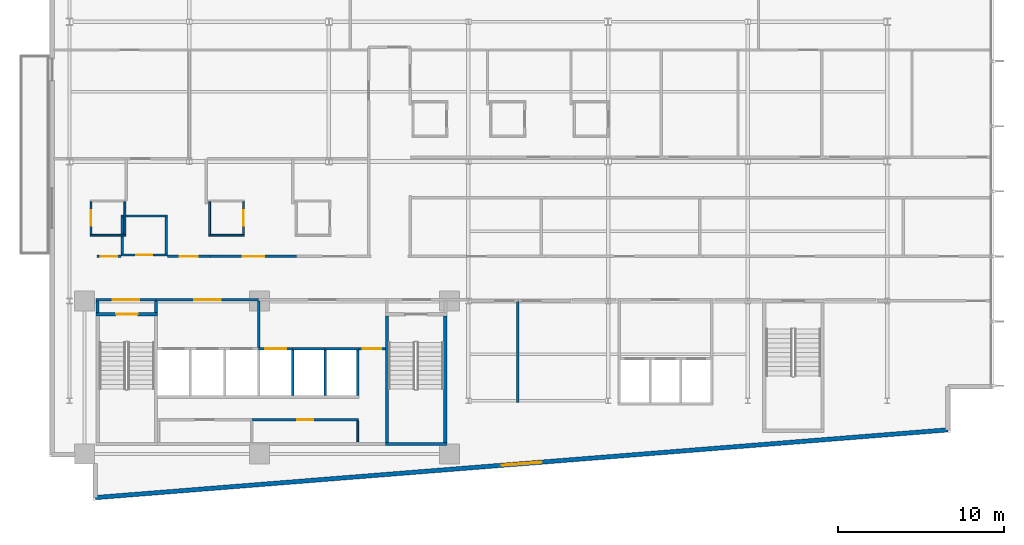
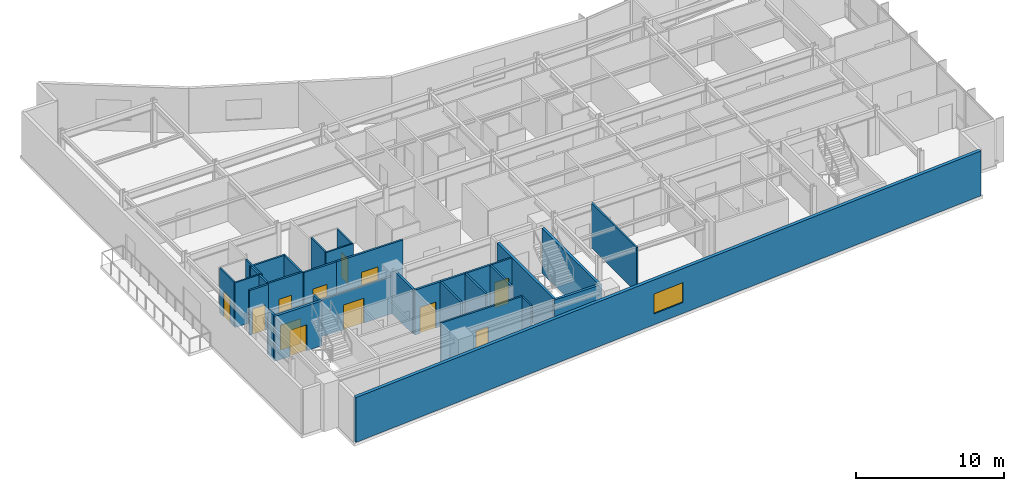
# One storey, part 10 of 18: 33 walls, 12 doors, 1 window, 13 openings.
"""IFC4 building model written with IfcOpenShell, lengths in metres."""

from ifc_helpers import new_model, si_unit, direction, frame, frame_2d, origin, place, context, subcontext, project, spatial, rectangle, extrude, material, layer, layer_set, type_object, element, fill, save


model = new_model("IFC4")

# Units and contexts
model_context = context("Model", 3, precision=1e-05, world=origin(), true_north=direction((0.0, 1.0)))
body_context = subcontext(model_context, "Body", "Model", "MODEL_VIEW")
ifc_project = project(units=[si_unit("LENGTHUNIT", "METRE"), si_unit("AREAUNIT", "SQUARE_METRE"), si_unit("VOLUMEUNIT", "CUBIC_METRE"), si_unit("PLANEANGLEUNIT", "RADIAN"), si_unit("MASSUNIT", "GRAM", prefix="KILO")], contexts=[model_context])

# Site, building, storey
site_placement = place(None, origin())
site = spatial("IfcSite", under=ifc_project, at=site_placement, CompositionType="ELEMENT")
building_placement = place(site_placement, origin())
building = spatial("IfcBuilding", under=site, at=building_placement, Name="Varnakote Quay Hospital", CompositionType="ELEMENT")
storey_placement = place(building_placement, frame((0.0, 0.0, 119.14990234375)))
storey = spatial("IfcBuildingStorey", under=building, at=storey_placement, Name="L29", CompositionType="ELEMENT", Elevation=119.14990234375)

# Wall
ifc_material_1 = material(Name="Fire-rated acoustic gypsum stud wall", Category="gypsum")
ifc_layer_1 = layer(ifc_material_1, 0.159912109375)
ifc_layer_set_1 = layer_set([ifc_layer_1], Name="Fire-rated acoustic gypsum stud wall")
wall_type_1 = type_object("IfcWallType", Name="WL-COMP-160", PredefinedType="PARTITIONING", material=ifc_layer_set_1)
wall_1_placement = place(storey_placement, frame((2.8798828125, 11.300048828125, 0.0), z_axis=(0.0, 0.0, 1.0), x_axis=(0.0, 1.0, 0.0)))
element("IfcWall", 1, at=wall_1_placement, inside=storey, type_object=wall_type_1, Name="L29 West Stair Vestibule West Wall", PredefinedType="PARTITIONING", context=body_context, shape_type="SweptSolid", body=[
    extrude(rectangle(XDim=0.699951171875, YDim=0.159912109375, at=frame_2d((0.35009765625, 0.0))), origin(), (0.0, 0.0, 1.0), 3.710205078125),
])

# Wall, opening, door
wall_2_placement = place(storey_placement, frame((2.800048828125, 12.080078125, 0.0), z_axis=(0.0, 0.0, 1.0), x_axis=(1.0, 0.0, 0.0)))
wall_2 = element("IfcWall", 2, at=wall_2_placement, inside=storey, type_object=wall_type_1, Name="L29 West Stair Vestibule Smoke Wall", PredefinedType="PARTITIONING", context=body_context, shape_type="SweptSolid", body=[
    extrude(rectangle(XDim=3.599853515625, YDim=0.159912109375, at=frame_2d((1.7998046875, 0.0))), origin(), (0.0, 0.0, 1.0), 3.0830078125),
])
opening_1_placement = place(wall_2_placement, frame((1.0, 0.0, 0.0)))
opening_1 = element("IfcOpeningElement", 3, at=opening_1_placement, cuts=wall_2, Name="Opening D-ST1L-L29", PredefinedType="OPENING", context=body_context, shape_type="SweptSolid", body=[
    extrude(rectangle(XDim=1.60009765625, YDim=2.050048828125, at=frame_2d((0.800048828125, 1.02490234375))), frame((0.0, 0.08984375, 0.0), z_axis=(0.0, -1.0, 0.0), x_axis=(1.0, 0.0, 0.0)), (0.0, 0.0, 1.0), 0.179931640625),
])
ifc_material_2 = material(Name="Fire-rated double smoke lobby door")
door_type_1 = type_object("IfcDoorType", Name="DR-LOBBY-FD60S-1600x2150", OperationType="NOTDEFINED", PredefinedType="DOOR", material=ifc_material_2)
door_1_placement = place(opening_1_placement, origin())
door_1 = element("IfcDoor", 4, at=door_1_placement, inside=storey, type_object=door_type_1, Name="L29 West Stair Vestibule Smoke Door", OperationType="DOUBLE_DOOR_SINGLE_SWING", OverallHeight=2.050048828125, OverallWidth=1.60009765625, PredefinedType="DOOR", context=body_context, shape_type="SweptSolid", body=[
    extrude(rectangle(XDim=1.60009765625, YDim=2.050048828125, at=frame_2d((0.800048828125, 1.02490234375))), frame((0.0, 0.02490234375, 0.0), z_axis=(0.0, -1.0, 0.0), x_axis=(1.0, 0.0, 0.0)), (0.0, 0.0, 1.0), 0.050048828125),
])
fill(opening_1, door_1)

# Wall
wall_3_placement = place(storey_placement, frame((6.39990234375, 11.300048828125, 0.0), z_axis=(0.0, 0.0, 1.0), x_axis=(0.0, 1.0, 0.0)))
element("IfcWall", 5, at=wall_3_placement, inside=storey, type_object=wall_type_1, Name="L29 Firefighting Lobby West Wall", PredefinedType="PARTITIONING", context=body_context, shape_type="SweptSolid", body=[
    extrude(rectangle(XDim=0.699951171875, YDim=0.159912109375, at=frame_2d((0.35009765625, 0.0))), origin(), (0.0, 0.0, 1.0), 3.710205078125),
])

# Wall, opening, door
wall_4_placement = place(storey_placement, frame((6.39990234375, 12.080078125, 0.0), z_axis=(0.0, 0.0, 1.0), x_axis=(1.0, 0.0, 0.0)))
wall_4 = element("IfcWall", 6, at=wall_4_placement, inside=storey, type_object=wall_type_1, Name="L29 Firefighting Lift Lobby Compartment Wall", PredefinedType="PARTITIONING", context=body_context, shape_type="SweptSolid", body=[
    extrude(rectangle(XDim=6.18017578125, YDim=0.159912109375, at=frame_2d((3.090087890625, 0.0))), origin(), (0.0, 0.0, 1.0), 3.0830078125),
])
opening_2_placement = place(wall_4_placement, frame((2.2900390625, 0.0, 0.0)))
opening_2 = element("IfcOpeningElement", 7, at=opening_2_placement, cuts=wall_4, Name="Opening D-FFL-L29", PredefinedType="OPENING", context=body_context, shape_type="SweptSolid", body=[
    extrude(rectangle(XDim=1.60009765625, YDim=2.050048828125, at=frame_2d((0.800048828125, 1.02490234375))), frame((0.0, 0.08984375, 0.0), z_axis=(0.0, -1.0, 0.0), x_axis=(1.0, 0.0, 0.0)), (0.0, 0.0, 1.0), 0.179931640625),
])
door_2_placement = place(opening_2_placement, origin())
door_2 = element("IfcDoor", 8, at=door_2_placement, inside=storey, type_object=door_type_1, Name="L29 Firefighting Smoke Vestibule Door", OperationType="DOUBLE_DOOR_SINGLE_SWING", OverallHeight=2.050048828125, OverallWidth=1.60009765625, PredefinedType="DOOR", context=body_context, shape_type="SweptSolid", body=[
    extrude(rectangle(XDim=1.60009765625, YDim=2.050048828125, at=frame_2d((0.800048828125, 1.02490234375))), frame((0.0, 0.02490234375, 0.0), z_axis=(0.0, -1.0, 0.0), x_axis=(1.0, 0.0, 0.0)), (0.0, 0.0, 1.0), 0.050048828125),
])
fill(opening_2, door_2)

# Walls
wall_5_placement = place(storey_placement, frame((12.580078125, 9.2099609375, 0.0), z_axis=(0.0, 0.0, 1.0), x_axis=(0.0, 1.0, 0.0)))
element("IfcWall", 9, at=wall_5_placement, inside=storey, type_object=wall_type_1, Name="L29 Firefighting to Service Lobby Wall", PredefinedType="PARTITIONING", context=body_context, shape_type="SweptSolid", body=[
    extrude(rectangle(XDim=2.7900390625, YDim=0.159912109375, at=frame_2d((1.39501953125, 0.0))), origin(), (0.0, 0.0, 1.0), 3.710205078125),
])
ifc_material_3 = material(Name="Moisture-resistant bathroom partition", Category="gypsum")
ifc_layer_2 = layer(ifc_material_3, 0.114990234375)
ifc_layer_set_2 = layer_set([ifc_layer_2], Name="Moisture-resistant bathroom partition")
wall_type_2 = type_object("IfcWallType", Name="WL-ENS-115", PredefinedType="PARTITIONING", material=ifc_layer_set_2)
wall_6_placement = place(storey_placement, frame((2.43505859375, 15.952392578125, 0.0), z_axis=(0.0, 0.0, 1.0), x_axis=(1.0, 0.0, 0.0)))
element("IfcWall", 10, at=wall_6_placement, inside=storey, type_object=wall_type_2, Name="L29 Inpatient En-Suite Bathroom 01 S Wall", PredefinedType="PARTITIONING", context=body_context, shape_type="SweptSolid", body=[
    extrude(rectangle(XDim=2.14990234375, YDim=0.114990234375, at=frame_2d((1.074951171875, 0.0))), origin(), (0.0, 0.0, 1.0), 3.710205078125),
])

# Wall, opening, door
wall_7_placement = place(storey_placement, frame((2.492431640625, 16.010009765625, 0.0), z_axis=(0.0, 0.0, 1.0), x_axis=(0.0, 1.0, 0.0)))
wall_7 = element("IfcWall", 11, at=wall_7_placement, inside=storey, type_object=wall_type_2, Name="L29 Inpatient En-Suite Bathroom 01 W Wall", PredefinedType="PARTITIONING", context=body_context, shape_type="SweptSolid", body=[
    extrude(rectangle(XDim=1.949951171875, YDim=0.114990234375, at=frame_2d((0.97509765625, 0.0))), origin(), (0.0, 0.0, 1.0), 3.710205078125),
])
opening_3_placement = place(wall_7_placement, frame((0.514892578125, 0.0, 0.0)))
opening_3 = element("IfcOpeningElement", 12, at=opening_3_placement, cuts=wall_7, Name="Opening D-L29-ENS01", PredefinedType="OPENING", context=body_context, shape_type="SweptSolid", body=[
    extrude(rectangle(XDim=0.919921875, YDim=2.10009765625, at=frame_2d((0.4599609375, 1.050048828125))), frame((0.0, 0.0673828125, 0.0), z_axis=(0.0, -1.0, 0.0), x_axis=(1.0, 0.0, 0.0)), (0.0, 0.0, 1.0), 0.135009765625),
])
ifc_material_4 = material(Name="Moisture-sealed en-suite bathroom door")
door_type_2 = type_object("IfcDoorType", Name="DR-ENS-920x2100", OperationType="NOTDEFINED", PredefinedType="DOOR", material=ifc_material_4)
door_3_placement = place(opening_3_placement, origin())
door_3 = element("IfcDoor", 13, at=door_3_placement, inside=storey, type_object=door_type_2, Name="L29 Inpatient En-Suite Bathroom 01 Door", OperationType="SINGLE_SWING_RIGHT", OverallHeight=2.10009765625, OverallWidth=0.919921875, PredefinedType="DOOR", context=body_context, shape_type="SweptSolid", body=[
    extrude(rectangle(XDim=0.919921875, YDim=2.10009765625, at=frame_2d((0.4599609375, 1.050048828125))), frame((0.0, 0.02490234375, 0.0), z_axis=(0.0, -1.0, 0.0), x_axis=(1.0, 0.0, 0.0)), (0.0, 0.0, 1.0), 0.050048828125),
])
fill(opening_3, door_3)

# Walls
wall_8_placement = place(storey_placement, frame((4.527587890625, 16.010009765625, 0.0), z_axis=(0.0, 0.0, 1.0), x_axis=(0.0, 1.0, 0.0)))
element("IfcWall", 14, at=wall_8_placement, inside=storey, type_object=wall_type_2, Name="L29 Inpatient En-Suite Bathroom 01 E Wall", PredefinedType="PARTITIONING", context=body_context, shape_type="SweptSolid", body=[
    extrude(rectangle(XDim=1.949951171875, YDim=0.114990234375, at=frame_2d((0.97509765625, 0.0))), origin(), (0.0, 0.0, 1.0), 3.710205078125),
])
wall_9_placement = place(storey_placement, frame((9.574951171875, 15.952392578125, 0.0), z_axis=(0.0, 0.0, 1.0), x_axis=(1.0, 0.0, 0.0)))
element("IfcWall", 15, at=wall_9_placement, inside=storey, type_object=wall_type_2, Name="L29 Inpatient En-Suite Bathroom 02 S Wall", PredefinedType="PARTITIONING", context=body_context, shape_type="SweptSolid", body=[
    extrude(rectangle(XDim=2.150146484375, YDim=0.114990234375, at=frame_2d((1.0751953125, 0.0))), origin(), (0.0, 0.0, 1.0), 3.710205078125),
])
wall_10_placement = place(storey_placement, frame((9.632568359375, 16.010009765625, 0.0), z_axis=(0.0, 0.0, 1.0), x_axis=(0.0, 1.0, 0.0)))
element("IfcWall", 16, at=wall_10_placement, inside=storey, type_object=wall_type_2, Name="L29 Inpatient En-Suite Bathroom 02 W Wall", PredefinedType="PARTITIONING", context=body_context, shape_type="SweptSolid", body=[
    extrude(rectangle(XDim=1.949951171875, YDim=0.114990234375, at=frame_2d((0.97509765625, 0.0))), origin(), (0.0, 0.0, 1.0), 3.710205078125),
])

# Wall, opening, door
wall_11_placement = place(storey_placement, frame((11.66748046875, 16.010009765625, 0.0), z_axis=(0.0, 0.0, 1.0), x_axis=(0.0, 1.0, 0.0)))
wall_11 = element("IfcWall", 17, at=wall_11_placement, inside=storey, type_object=wall_type_2, Name="L29 Inpatient En-Suite Bathroom 02 E Wall", PredefinedType="PARTITIONING", context=body_context, shape_type="SweptSolid", body=[
    extrude(rectangle(XDim=1.949951171875, YDim=0.114990234375, at=frame_2d((0.97509765625, 0.0))), origin(), (0.0, 0.0, 1.0), 3.710205078125),
])
opening_4_placement = place(wall_11_placement, frame((0.514892578125, 0.0, 0.0)))
opening_4 = element("IfcOpeningElement", 18, at=opening_4_placement, cuts=wall_11, Name="Opening D-L29-ENS02", PredefinedType="OPENING", context=body_context, shape_type="SweptSolid", body=[
    extrude(rectangle(XDim=0.919921875, YDim=2.10009765625, at=frame_2d((0.4599609375, 1.050048828125))), frame((0.0, 0.0673828125, 0.0), z_axis=(0.0, -1.0, 0.0), x_axis=(1.0, 0.0, 0.0)), (0.0, 0.0, 1.0), 0.135009765625),
])
door_4_placement = place(opening_4_placement, origin())
door_4 = element("IfcDoor", 19, at=door_4_placement, inside=storey, type_object=door_type_2, Name="L29 Inpatient En-Suite Bathroom 02 Door", OperationType="SINGLE_SWING_LEFT", OverallHeight=2.10009765625, OverallWidth=0.919921875, PredefinedType="DOOR", context=body_context, shape_type="SweptSolid", body=[
    extrude(rectangle(XDim=0.919921875, YDim=2.10009765625, at=frame_2d((0.4599609375, 1.050048828125))), frame((0.0, 0.02490234375, 0.0), z_axis=(0.0, -1.0, 0.0), x_axis=(1.0, 0.0, 0.0)), (0.0, 0.0, 1.0), 0.050048828125),
])
fill(opening_4, door_4)

# Wall, opening, window
ifc_material_5 = material(Name="Precast concrete N50 (f'c 50 MPa)", Category="concrete")
ifc_layer_3 = layer(ifc_material_5, 0.260009765625)
ifc_layer_set_3 = layer_set([ifc_layer_3], Name="Precast concrete N50 (f'c 50 MPa)")
wall_type_3 = type_object("IfcWallType", Name="WL-EXT-BRICK-260", PredefinedType="STANDARD", material=ifc_layer_set_3)
wall_12_placement = place(storey_placement, frame((2.760009765625, 0.173095703125, 0.0), z_axis=(0.0, 0.0, 1.0), x_axis=(0.996857931723, 0.079210251617, 0.0)))
wall_12 = element("IfcWall", 20, at=wall_12_placement, inside=storey, type_object=wall_type_3, Name="L29 Brick-Faced Precast Exterior Wall", PredefinedType="STANDARD", context=body_context, shape_type="SweptSolid", body=[
    extrude(rectangle(XDim=51.441650390625, YDim=0.260009765625, at=frame_2d((25.720703125, 0.0))), origin(), (0.0, 0.0, 1.0), 3.710205078125),
])
opening_5_placement = place(wall_12_placement, frame((24.520751953125, 0.0, 0.89990234375)))
opening_5 = element("IfcOpeningElement", 21, at=opening_5_placement, cuts=wall_12, Name="Opening WN-0126", PredefinedType="OPENING", context=body_context, shape_type="SweptSolid", body=[
    extrude(rectangle(XDim=2.39990234375, YDim=1.64990234375, at=frame_2d((1.199951171875, 0.824951171875))), frame((0.0, 0.139892578125, 0.0), z_axis=(0.0, -1.0, 0.0), x_axis=(1.0, 0.0, 0.0)), (0.0, 0.0, 1.0), 0.280029296875),
])
ifc_material_6 = material(Name="Double-glazed low-E solar glass", Category="glass")
window_type = type_object("IfcWindowType", Name="WIN-CLIN-2400x1650", PartitioningType="SINGLE_PANEL", PredefinedType="WINDOW", material=ifc_material_6)
window_placement = place(opening_5_placement, origin())
window = element("IfcWindow", 22, at=window_placement, inside=storey, type_object=window_type, Name="L29 Solar-Control Clinical Window", OverallHeight=1.64990234375, OverallWidth=2.39990234375, PartitioningType="SINGLE_PANEL", PredefinedType="WINDOW", context=body_context, shape_type="SweptSolid", body=[
    extrude(rectangle(XDim=2.39990234375, YDim=1.64990234375, at=frame_2d((1.199951171875, 0.824951171875))), frame((0.0, 0.030029296875, 0.0), z_axis=(0.0, -1.0, 0.0), x_axis=(1.0, 0.0, 0.0)), (0.0, 0.0, 1.0), 0.06005859375),
])
fill(opening_5, window)

# Walls
ifc_material_7 = material(Name="Concrete N50 (f'c 50 MPa)", Category="concrete")
ifc_layer_4 = layer(ifc_material_7, 0.14990234375)
ifc_layer_set_4 = layer_set([ifc_layer_4], Name="Concrete N50 (f'c 50 MPa)")
wall_type_4 = type_object("IfcWallType", Name="WL-SHAFT-N50-150", PredefinedType="SHEAR", material=ifc_layer_set_4)
for number, where, z_axis, x_axis, name in (
    (23, (14.625, 6.300048828125, 0.0), (0.0, 0.0, 1.0), (0.0, 1.0, 0.0), "L29 LF-SV2 Hoistway Divider Wall"),
    (24, (16.574951171875, 6.300048828125, 0.0), (0.0, 0.0, 1.0), (0.0, 1.0, 0.0), "L29 LF-PH1 Hoistway Divider Wall"),
):
    element("IfcWall", number, at=place(storey_placement, frame(where, z_axis=z_axis, x_axis=x_axis)), inside=storey, type_object=wall_type_4, Name=name, PredefinedType="SHEAR", context=body_context, shape_type="SweptSolid", body=[
        extrude(rectangle(XDim=2.75, YDim=0.14990234375, at=frame_2d((1.375, 0.0))), origin(), (0.0, 0.0, 1.0), 3.710205078125),
    ])
ifc_material_8 = material(Name="Concrete N50 (f'c 50 MPa)", Category="concrete")
ifc_layer_5 = layer(ifc_material_8, 0.159912109375)
ifc_layer_set_5 = layer_set([ifc_layer_5], Name="Concrete N50 (f'c 50 MPa)")
wall_type_5 = type_object("IfcWallType", Name="WL-SHAFT-N50-160", PredefinedType="SHEAR", material=ifc_layer_set_5)
wall_13_placement = place(storey_placement, frame((18.530029296875, 6.300048828125, 0.0), z_axis=(0.0, 0.0, 1.0), x_axis=(0.0, 1.0, 0.0)))
element("IfcWall", 25, at=wall_13_placement, inside=storey, type_object=wall_type_5, Name="L29 REAR Lift Bank East Shear Wall", PredefinedType="SHEAR", context=body_context, shape_type="SweptSolid", body=[
    extrude(rectangle(XDim=2.75, YDim=0.159912109375, at=frame_2d((1.375, 0.0))), origin(), (0.0, 0.0, 1.0), 3.710205078125),
])

# Wall, opening, door
wall_14_placement = place(storey_placement, frame((12.574951171875, 9.1298828125, 0.0), z_axis=(0.0, 0.0, 1.0), x_axis=(1.0, 0.0, 0.0)))
wall_14 = element("IfcWall", 26, at=wall_14_placement, inside=storey, type_object=wall_type_5, Name="L29 LF-SV2 Hoistway Front Wall", PredefinedType="SHEAR", context=body_context, shape_type="SweptSolid", body=[
    extrude(rectangle(XDim=2.050048828125, YDim=0.159912109375, at=frame_2d((1.02490234375, 0.0))), origin(), (0.0, 0.0, 1.0), 3.710205078125),
])
opening_6_placement = place(wall_14_placement, frame((0.39990234375, 0.0, 0.0)))
opening_6 = element("IfcOpeningElement", 27, at=opening_6_placement, cuts=wall_14, Name="Opening LD-SV2-L29", PredefinedType="OPENING", context=body_context, shape_type="SweptSolid", body=[
    extrude(rectangle(XDim=1.25, YDim=2.14990234375, at=frame_2d((0.625, 1.074951171875))), frame((0.0, 0.08984375, 0.0), z_axis=(0.0, -1.0, 0.0), x_axis=(1.0, 0.0, 0.0)), (0.0, 0.0, 1.0), 0.179931640625),
])
ifc_material_9 = material(Name="Stainless steel lift landing sliding door", Category="steel")
door_type_3 = type_object("IfcDoorType", Name="DR-LIFT-LD-1250x2150", OperationType="NOTDEFINED", PredefinedType="DOOR", material=ifc_material_9)
door_5_placement = place(opening_6_placement, origin())
door_5 = element("IfcDoor", 28, at=door_5_placement, inside=storey, type_object=door_type_3, Name="L29 LF-SV2 Lift Landing Sliding Door", OperationType="SLIDING_TO_LEFT", OverallHeight=2.14990234375, OverallWidth=1.25, PredefinedType="DOOR", context=body_context, shape_type="SweptSolid", body=[
    extrude(rectangle(XDim=1.25, YDim=2.14990234375, at=frame_2d((0.625, 1.074951171875))), frame((0.0, 0.02490234375, 0.0), z_axis=(0.0, -1.0, 0.0), x_axis=(1.0, 0.0, 0.0)), (0.0, 0.0, 1.0), 0.050048828125),
])
fill(opening_6, door_5)

# Walls
wall_15_placement = place(storey_placement, frame((14.625, 9.1298828125, 0.0), z_axis=(0.0, 0.0, 1.0), x_axis=(1.0, 0.0, 0.0)))
element("IfcWall", 29, at=wall_15_placement, inside=storey, type_object=wall_type_5, Name="L29 LF-PH1 Hoistway Front Wall", PredefinedType="SHEAR", context=body_context, shape_type="SweptSolid", body=[
    extrude(rectangle(XDim=1.949951171875, YDim=0.159912109375, at=frame_2d((0.97509765625, 0.0))), origin(), (0.0, 0.0, 1.0), 3.710205078125),
])
wall_16_placement = place(storey_placement, frame((16.574951171875, 9.1298828125, 0.0), z_axis=(0.0, 0.0, 1.0), x_axis=(1.0, 0.0, 0.0)))
element("IfcWall", 30, at=wall_16_placement, inside=storey, type_object=wall_type_5, Name="L29 LF-PH2 Hoistway Front Wall", PredefinedType="SHEAR", context=body_context, shape_type="SweptSolid", body=[
    extrude(rectangle(XDim=2.03515625, YDim=0.159912109375, at=frame_2d((1.017578125, 0.0))), origin(), (0.0, 0.0, 1.0), 3.710205078125),
])

# Wall, opening, door
ifc_material_10 = material(Name="Concrete N50 (f'c 50 MPa)", Category="concrete")
ifc_layer_6 = layer(ifc_material_10, 0.199951171875)
ifc_layer_set_6 = layer_set([ifc_layer_6], Name="Concrete N50 (f'c 50 MPa)")
wall_type_6 = type_object("IfcWallType", Name="WL-SHAFT-N50-200", PredefinedType="SHEAR", material=ifc_layer_set_6)
wall_17_placement = place(storey_placement, frame((2.800048828125, 11.199951171875, 0.0), z_axis=(0.0, 0.0, 1.0), x_axis=(1.0, 0.0, 0.0)))
wall_17 = element("IfcWall", 31, at=wall_17_placement, inside=storey, type_object=wall_type_6, Name="L29 Stair ST1 Exit Wall", PredefinedType="SHEAR", context=body_context, shape_type="SweptSolid", body=[
    extrude(rectangle(XDim=3.699951171875, YDim=0.199951171875, at=frame_2d((1.85009765625, 0.0))), origin(), (0.0, 0.0, 1.0), 3.710205078125),
])
opening_7_placement = place(wall_17_placement, frame((1.199951171875, 0.0, 0.0)))
opening_7 = element("IfcOpeningElement", 32, at=opening_7_placement, cuts=wall_17, Name="Opening D-ST1-L29", PredefinedType="OPENING", context=body_context, shape_type="SweptSolid", body=[
    extrude(rectangle(XDim=1.300048828125, YDim=2.14990234375, at=frame_2d((0.64990234375, 1.074951171875))), frame((0.0, 0.10986328125, 0.0), z_axis=(0.0, -1.0, 0.0), x_axis=(1.0, 0.0, 0.0)), (0.0, 0.0, 1.0), 0.219970703125),
])
ifc_material_11 = material(Name="Fire-rated ceramic-glazed timber exit door", Category="wood")
door_type_4 = type_object("IfcDoorType", Name="DR-STAIR-FD60S-1300x2150", OperationType="NOTDEFINED", PredefinedType="DOOR", material=ifc_material_11)
door_6_placement = place(opening_7_placement, origin())
door_6 = element("IfcDoor", 33, at=door_6_placement, inside=storey, type_object=door_type_4, Name="L29 Stair ST1 Fire Exit Door", OperationType="SINGLE_SWING_LEFT", OverallHeight=2.14990234375, OverallWidth=1.300048828125, PredefinedType="DOOR", context=body_context, shape_type="SweptSolid", body=[
    extrude(rectangle(XDim=1.300048828125, YDim=2.14990234375, at=frame_2d((0.64990234375, 1.074951171875))), frame((0.0, 0.02490234375, 0.0), z_axis=(0.0, -1.0, 0.0), x_axis=(1.0, 0.0, 0.0)), (0.0, 0.0, 1.0), 0.050048828125),
])
fill(opening_7, door_6)

# Walls
wall_18_placement = place(storey_placement, frame((20.199951171875, 3.39990234375, 0.0), z_axis=(0.0, 0.0, 1.0), x_axis=(1.0, 0.0, 0.0)))
element("IfcWall", 34, at=wall_18_placement, inside=storey, type_object=wall_type_6, Name="L29 Stair ST2 South Shaft Wall", PredefinedType="SHEAR", context=body_context, shape_type="SweptSolid", body=[
    extrude(rectangle(XDim=3.699951171875, YDim=0.199951171875, at=frame_2d((1.85009765625, 0.0))), origin(), (0.0, 0.0, 1.0), 3.710205078125),
])
for number, where, z_axis, x_axis, name in (
    (35, (20.300048828125, 3.5, 0.0), (0.0, 0.0, 1.0), (0.0, 1.0, 0.0), "L29 Stair ST2 West Shaft Wall"),
    (36, (23.800048828125, 3.5, 0.0), (0.0, 0.0, 1.0), (0.0, 1.0, 0.0), "L29 Stair ST2 East Shaft Wall"),
):
    element("IfcWall", number, at=place(storey_placement, frame(where, z_axis=z_axis, x_axis=x_axis)), inside=storey, type_object=wall_type_6, Name=name, PredefinedType="SHEAR", context=body_context, shape_type="SweptSolid", body=[
        extrude(rectangle(XDim=7.60009765625, YDim=0.199951171875, at=frame_2d((3.800048828125, 0.0))), origin(), (0.0, 0.0, 1.0), 3.710205078125),
    ])
ifc_material_12 = material(Name="Smoke-proof clinical partition", Category="gypsum")
ifc_layer_7 = layer(ifc_material_12, 0.1201171875)
ifc_layer_set_7 = layer_set([ifc_layer_7], Name="Smoke-proof clinical partition")
wall_type_7 = type_object("IfcWallType", Name="WL-SMOKE-120", PredefinedType="PARTITIONING", material=ifc_layer_set_7)
wall_19_placement = place(storey_placement, frame((18.5400390625, 3.52001953125, 0.0), z_axis=(0.0, 0.0, 1.0), x_axis=(0.0, 1.0, 0.0)))
element("IfcWall", 37, at=wall_19_placement, inside=storey, type_object=wall_type_7, Name="L29 Core South Service East Wall", PredefinedType="PARTITIONING", context=body_context, shape_type="SweptSolid", body=[
    extrude(rectangle(XDim=1.260009765625, YDim=0.1201171875, at=frame_2d((0.6298828125, 0.0))), origin(), (0.0, 0.0, 1.0), 3.710205078125),
])
ifc_material_13 = material(Name="Smoke-proof clinical partition", Category="gypsum")
ifc_layer_8 = layer(ifc_material_13, 0.135009765625)
ifc_layer_set_8 = layer_set([ifc_layer_8], Name="Smoke-proof clinical partition")
wall_type_8 = type_object("IfcWallType", Name="WL-SMOKE-135", PredefinedType="PARTITIONING", material=ifc_layer_set_8)
wall_20_placement = place(storey_placement, frame((28.159912109375, 5.89990234375, 0.0), z_axis=(0.0, 0.0, 1.0), x_axis=(0.0, 1.0, 0.0)))
element("IfcWall", 38, at=wall_20_placement, inside=storey, type_object=wall_type_8, Name="L29 Clinical Interior Partition", PredefinedType="PARTITIONING", context=body_context, shape_type="SweptSolid", body=[
    extrude(rectangle(XDim=6.10009765625, YDim=0.135009765625, at=frame_2d((3.050048828125, 0.0))), origin(), (0.0, 0.0, 1.0), 3.710205078125),
])

# Wall, opening, door
ifc_material_14 = material(Name="Fire-rated clinical gypsum partition", Category="gypsum")
ifc_layer_9 = layer(ifc_material_14, 0.139892578125)
ifc_layer_set_9 = layer_set([ifc_layer_9], Name="Fire-rated clinical gypsum partition")
wall_type_9 = type_object("IfcWallType", Name="WL-WARD-140", PredefinedType="PARTITIONING", material=ifc_layer_set_9)
wall_21_placement = place(storey_placement, frame((12.169921875, 4.85009765625, 0.0), z_axis=(0.0, 0.0, 1.0), x_axis=(1.0, 0.0, 0.0)))
wall_21 = element("IfcWall", 39, at=wall_21_placement, inside=storey, type_object=wall_type_9, Name="L29 Core Staff Sanitary WC North Wall", PredefinedType="PARTITIONING", context=body_context, shape_type="SweptSolid", body=[
    extrude(rectangle(XDim=6.43017578125, YDim=0.139892578125, at=frame_2d((3.215087890625, 0.0))), origin(), (0.0, 0.0, 1.0), 3.710205078125),
])
opening_8_placement = place(wall_21_placement, frame((2.72509765625, 0.0, 0.0)))
opening_8 = element("IfcOpeningElement", 40, at=opening_8_placement, cuts=wall_21, Name="Opening D-L29-CR02", PredefinedType="OPENING", context=body_context, shape_type="SweptSolid", body=[
    extrude(rectangle(XDim=0.97998046875, YDim=2.10009765625, at=frame_2d((0.489990234375, 1.050048828125))), frame((0.0, 0.079833984375, 0.0), z_axis=(0.0, -1.0, 0.0), x_axis=(1.0, 0.0, 0.0)), (0.0, 0.0, 1.0), 0.159912109375),
])
ifc_material_15 = material(Name="Accessible sanitary compartment door")
door_type_5 = type_object("IfcDoorType", Name="DR-WC-980x2100", OperationType="NOTDEFINED", PredefinedType="DOOR", material=ifc_material_15)
door_7_placement = place(opening_8_placement, origin())
door_7 = element("IfcDoor", 41, at=door_7_placement, inside=storey, type_object=door_type_5, Name="L29 Core Staff Sanitary WC Door", OperationType="SINGLE_SWING_LEFT", OverallHeight=2.10009765625, OverallWidth=0.97998046875, PredefinedType="DOOR", context=body_context, shape_type="SweptSolid", body=[
    extrude(rectangle(XDim=0.97998046875, YDim=2.10009765625, at=frame_2d((0.489990234375, 1.050048828125))), frame((0.0, 0.02490234375, 0.0), z_axis=(0.0, -1.0, 0.0), x_axis=(1.0, 0.0, 0.0)), (0.0, 0.0, 1.0), 0.050048828125),
])
fill(opening_8, door_7)

wall_22_placement = place(storey_placement, frame((18.610107421875, 9.1298828125, 0.0), z_axis=(0.0, 0.0, 1.0), x_axis=(1.0, 0.0, 0.0)))
wall_22 = element("IfcWall", 42, at=wall_22_placement, inside=storey, type_object=wall_type_9, Name="L29 Core Service Corridor North Door Wall", PredefinedType="PARTITIONING", context=body_context, shape_type="SweptSolid", body=[
    extrude(rectangle(XDim=1.58984375, YDim=0.139892578125, at=frame_2d((0.794921875, 0.0))), origin(), (0.0, 0.0, 1.0), 3.710205078125),
])
opening_9_placement = place(wall_22_placement, frame((0.239990234375, 0.0, 0.0)))
opening_9 = element("IfcOpeningElement", 43, at=opening_9_placement, cuts=wall_22, Name="Opening D-CSRV-L29", PredefinedType="OPENING", context=body_context, shape_type="SweptSolid", body=[
    extrude(rectangle(XDim=1.10009765625, YDim=2.10009765625, at=frame_2d((0.550048828125, 1.050048828125))), frame((0.0, 0.079833984375, 0.0), z_axis=(0.0, -1.0, 0.0), x_axis=(1.0, 0.0, 0.0)), (0.0, 0.0, 1.0), 0.159912109375),
])
ifc_material_16 = material(Name="Acoustic timber clinical consult door", Category="wood")
door_type_6 = type_object("IfcDoorType", Name="DR-CLIN-FD30S-1100x2100", OperationType="NOTDEFINED", PredefinedType="DOOR", material=ifc_material_16)
door_8_placement = place(opening_9_placement, origin())
door_8 = element("IfcDoor", 44, at=door_8_placement, inside=storey, type_object=door_type_6, Name="L29 Core Service Corridor Door", OperationType="SINGLE_SWING_RIGHT", OverallHeight=2.10009765625, OverallWidth=1.10009765625, PredefinedType="DOOR", context=body_context, shape_type="SweptSolid", body=[
    extrude(rectangle(XDim=1.10009765625, YDim=2.10009765625, at=frame_2d((0.550048828125, 1.050048828125))), frame((0.0, 0.02490234375, 0.0), z_axis=(0.0, -1.0, 0.0), x_axis=(1.0, 0.0, 0.0)), (0.0, 0.0, 1.0), 0.050048828125),
])
fill(opening_9, door_8)

wall_23_placement = place(storey_placement, frame((4.31005859375, 14.77001953125, 0.0), z_axis=(0.0, 0.0, 1.0), x_axis=(1.0, 0.0, 0.0)))
wall_23 = element("IfcWall", 45, at=wall_23_placement, inside=storey, type_object=wall_type_9, Name="L29 Floor Unisex Accessible WC S Wall", PredefinedType="PARTITIONING", context=body_context, shape_type="SweptSolid", body=[
    extrude(rectangle(XDim=2.780029296875, YDim=0.139892578125, at=frame_2d((1.39013671875, 0.0))), origin(), (0.0, 0.0, 1.0), 3.710205078125),
])
opening_10_placement = place(wall_23_placement, frame((0.89990234375, 0.0, 0.0)))
opening_10 = element("IfcOpeningElement", 46, at=opening_10_placement, cuts=wall_23, Name="Opening D-L29-EW01", PredefinedType="OPENING", context=body_context, shape_type="SweptSolid", body=[
    extrude(rectangle(XDim=0.97998046875, YDim=2.10009765625, at=frame_2d((0.489990234375, 1.050048828125))), frame((0.0, 0.079833984375, 0.0), z_axis=(0.0, -1.0, 0.0), x_axis=(1.0, 0.0, 0.0)), (0.0, 0.0, 1.0), 0.159912109375),
])
door_9_placement = place(opening_10_placement, origin())
door_9 = element("IfcDoor", 47, at=door_9_placement, inside=storey, type_object=door_type_5, Name="L29 Floor Unisex Accessible WC Door", OperationType="SINGLE_SWING_LEFT", OverallHeight=2.10009765625, OverallWidth=0.97998046875, PredefinedType="DOOR", context=body_context, shape_type="SweptSolid", body=[
    extrude(rectangle(XDim=0.97998046875, YDim=2.10009765625, at=frame_2d((0.489990234375, 1.050048828125))), frame((0.0, 0.02490234375, 0.0), z_axis=(0.0, -1.0, 0.0), x_axis=(1.0, 0.0, 0.0)), (0.0, 0.0, 1.0), 0.050048828125),
])
fill(opening_10, door_9)

# Walls
wall_24_placement = place(storey_placement, frame((4.31005859375, 17.110107421875, 0.0), z_axis=(0.0, 0.0, 1.0), x_axis=(1.0, 0.0, 0.0)))
element("IfcWall", 48, at=wall_24_placement, inside=storey, type_object=wall_type_9, Name="L29 Floor Unisex Accessible WC N Wall", PredefinedType="PARTITIONING", context=body_context, shape_type="SweptSolid", body=[
    extrude(rectangle(XDim=2.780029296875, YDim=0.139892578125, at=frame_2d((1.39013671875, 0.0))), origin(), (0.0, 0.0, 1.0), 3.710205078125),
])
for number, where, z_axis, x_axis, name in (
    (49, (4.3798828125, 14.840087890625, 0.0), (0.0, 0.0, 1.0), (0.0, 1.0, 0.0), "L29 Floor Unisex Accessible WC W Wall"),
    (50, (7.02001953125, 14.840087890625, 0.0), (0.0, 0.0, 1.0), (0.0, 1.0, 0.0), "L29 Floor Unisex Accessible WC E Wall"),
):
    element("IfcWall", number, at=place(storey_placement, frame(where, z_axis=z_axis, x_axis=x_axis)), inside=storey, type_object=wall_type_9, Name=name, PredefinedType="PARTITIONING", context=body_context, shape_type="SweptSolid", body=[
        extrude(rectangle(XDim=2.199951171875, YDim=0.139892578125, at=frame_2d((1.10009765625, 0.0))), origin(), (0.0, 0.0, 1.0), 3.710205078125),
    ])

# Wall, opening, door
ifc_material_17 = material(Name="Fire-rated clinical gypsum partition", Category="gypsum")
ifc_layer_10 = layer(ifc_material_17, 0.14990234375)
ifc_layer_set_10 = layer_set([ifc_layer_10], Name="Fire-rated clinical gypsum partition")
wall_type_10 = type_object("IfcWallType", Name="WL-WARD-150", PredefinedType="PARTITIONING", material=ifc_layer_set_10)
wall_25_placement = place(storey_placement, frame((4.30810546875, 14.679931640625, 0.0), z_axis=(0.0, 0.0, 1.0), x_axis=(-1.0, 0.0, 0.0)))
wall_25 = element("IfcWall", 51, at=wall_25_placement, inside=storey, type_object=wall_type_10, Name="L29 Clinical Interior Partition", PredefinedType="PARTITIONING", context=body_context, shape_type="SweptSolid", body=[
    extrude(rectangle(XDim=1.4580078125, YDim=0.14990234375, at=frame_2d((0.72900390625, 0.0))), origin(), (0.0, 0.0, 1.0), 3.710205078125),
])
opening_11_placement = place(wall_25_placement, frame((0.239013671875, 0.0, 0.0)))
opening_11 = element("IfcOpeningElement", 52, at=opening_11_placement, cuts=wall_25, Name="Opening D-L29-BR01", PredefinedType="OPENING", context=body_context, shape_type="SweptSolid", body=[
    extrude(rectangle(XDim=0.97998046875, YDim=2.10009765625, at=frame_2d((0.489990234375, 1.050048828125))), frame((0.0, 0.0849609375, 0.0), z_axis=(0.0, -1.0, 0.0), x_axis=(1.0, 0.0, 0.0)), (0.0, 0.0, 1.0), 0.169921875),
])
door_10_placement = place(opening_11_placement, origin())
door_10 = element("IfcDoor", 53, at=door_10_placement, inside=storey, type_object=door_type_5, Name="L29 Resident Care Bedroom 01 Door", OperationType="SINGLE_SWING_LEFT", OverallHeight=2.10009765625, OverallWidth=0.97998046875, PredefinedType="DOOR", context=body_context, shape_type="SweptSolid", body=[
    extrude(rectangle(XDim=0.97998046875, YDim=2.10009765625, at=frame_2d((0.489990234375, 1.050048828125))), frame((0.0, 0.02490234375, 0.0), z_axis=(0.0, -1.0, 0.0), x_axis=(1.0, 0.0, 0.0)), (0.0, 0.0, 1.0), 0.050048828125),
])
fill(opening_11, door_10)

wall_26_placement = place(storey_placement, frame((9.656005859375, 14.679931640625, 0.0), z_axis=(0.0, 0.0, 1.0), x_axis=(-1.0, 0.0, 0.0)))
wall_26 = element("IfcWall", 54, at=wall_26_placement, inside=storey, type_object=wall_type_10, Name="L29 Clinical Interior Partition", PredefinedType="PARTITIONING", context=body_context, shape_type="SweptSolid", body=[
    extrude(rectangle(XDim=2.56396484375, YDim=0.14990234375, at=frame_2d((1.281982421875, 0.0))), origin(), (0.0, 0.0, 1.0), 3.710205078125),
])
opening_12_placement = place(wall_26_placement, frame((0.73193359375, 0.0, 0.0)))
opening_12 = element("IfcOpeningElement", 55, at=opening_12_placement, cuts=wall_26, Name="Opening D-L29-MD01", PredefinedType="OPENING", context=body_context, shape_type="SweptSolid", body=[
    extrude(rectangle(XDim=1.10009765625, YDim=2.10009765625, at=frame_2d((0.550048828125, 1.050048828125))), frame((0.0, 0.0849609375, 0.0), z_axis=(0.0, -1.0, 0.0), x_axis=(1.0, 0.0, 0.0)), (0.0, 0.0, 1.0), 0.169921875),
])
door_11_placement = place(opening_12_placement, origin())
door_11 = element("IfcDoor", 56, at=door_11_placement, inside=storey, type_object=door_type_6, Name="L29 Ward Nurse Station Office Door", OperationType="SINGLE_SWING_RIGHT", OverallHeight=2.10009765625, OverallWidth=1.10009765625, PredefinedType="DOOR", context=body_context, shape_type="SweptSolid", body=[
    extrude(rectangle(XDim=1.10009765625, YDim=2.10009765625, at=frame_2d((0.550048828125, 1.050048828125))), frame((0.0, 0.02490234375, 0.0), z_axis=(0.0, -1.0, 0.0), x_axis=(1.0, 0.0, 0.0)), (0.0, 0.0, 1.0), 0.050048828125),
])
fill(opening_12, door_11)

wall_27_placement = place(storey_placement, frame((14.85595703125, 14.679931640625, 0.0), z_axis=(0.0, 0.0, 1.0), x_axis=(-1.0, 0.0, 0.0)))
wall_27 = element("IfcWall", 57, at=wall_27_placement, inside=storey, type_object=wall_type_10, Name="L29 Clinical Interior Partition", PredefinedType="PARTITIONING", context=body_context, shape_type="SweptSolid", body=[
    extrude(rectangle(XDim=5.197998046875, YDim=0.14990234375, at=frame_2d((2.59912109375, 0.0))), origin(), (0.0, 0.0, 1.0), 3.710205078125),
])
opening_13_placement = place(wall_27_placement, frame((1.948974609375, 0.0, 0.0)))
opening_13 = element("IfcOpeningElement", 58, at=opening_13_placement, cuts=wall_27, Name="Opening D-L29-BR02", PredefinedType="OPENING", context=body_context, shape_type="SweptSolid", body=[
    extrude(rectangle(XDim=1.300048828125, YDim=2.14990234375, at=frame_2d((0.64990234375, 1.074951171875))), frame((0.0, 0.0849609375, 0.0), z_axis=(0.0, -1.0, 0.0), x_axis=(1.0, 0.0, 0.0)), (0.0, 0.0, 1.0), 0.169921875),
])
ifc_material_18 = material(Name="Solid-core timber clinical bed door", Category="wood")
door_type_7 = type_object("IfcDoorType", Name="DR-WARD-FD30S-1300x2150", OperationType="NOTDEFINED", PredefinedType="DOOR", material=ifc_material_18)
door_12_placement = place(opening_13_placement, origin())
door_12 = element("IfcDoor", 59, at=door_12_placement, inside=storey, type_object=door_type_7, Name="L29 Resident Care Bedroom 02 Door", OperationType="SINGLE_SWING_LEFT", OverallHeight=2.14990234375, OverallWidth=1.300048828125, PredefinedType="DOOR", context=body_context, shape_type="SweptSolid", body=[
    extrude(rectangle(XDim=1.300048828125, YDim=2.14990234375, at=frame_2d((0.64990234375, 1.074951171875))), frame((0.0, 0.02490234375, 0.0), z_axis=(0.0, -1.0, 0.0), x_axis=(1.0, 0.0, 0.0)), (0.0, 0.0, 1.0), 0.050048828125),
])
fill(opening_13, door_12)

save(model, "model.ifc")
